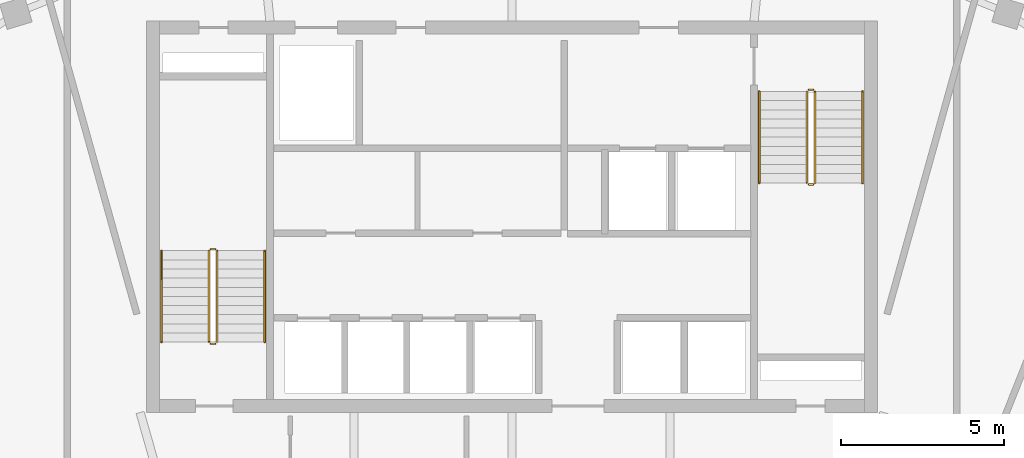
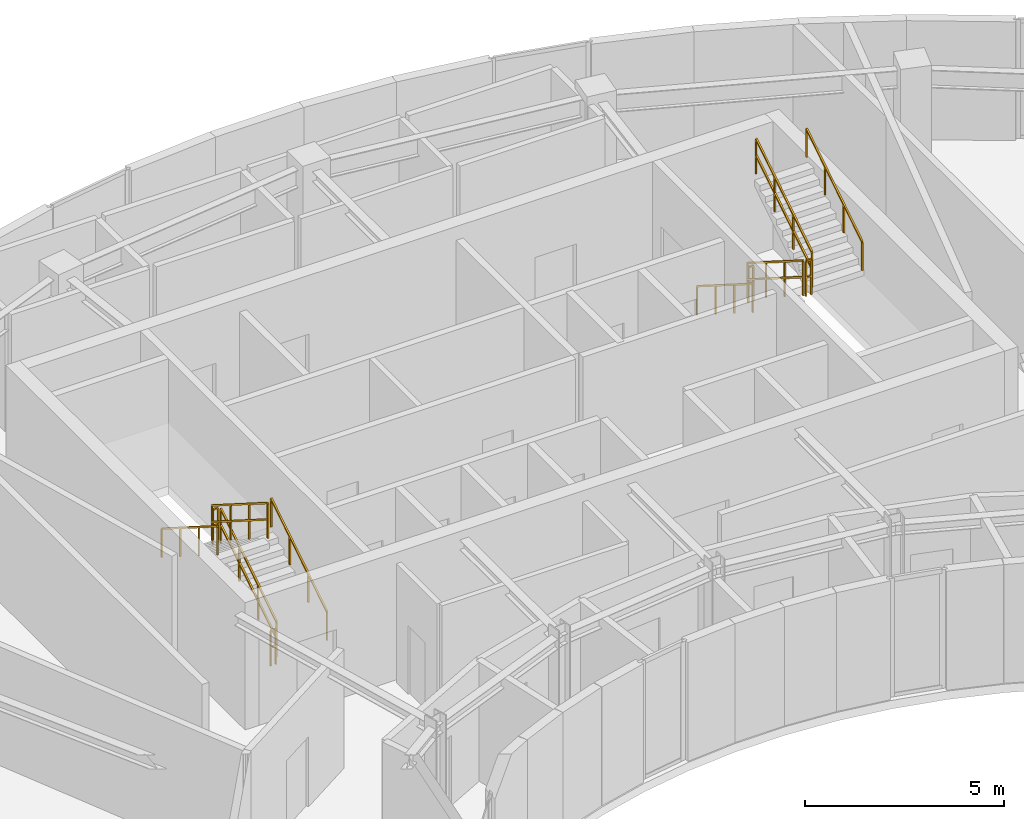
# One storey, part 9 of 9: 12 railings.
"""IFC4 building model written with IfcOpenShell, lengths in metres."""

from ifc_helpers import new_model, si_unit, direction, frame, origin, origin_2d, place, context, subcontext, project, spatial, rectangle, extrude, material, type_object, element, save


model = new_model("IFC4")

# Units and contexts
model_context = context("Model", 3, precision=1e-05, world=origin(), true_north=direction((0.0, 1.0)))
body_context = subcontext(model_context, "Body", "Model", "MODEL_VIEW")
ifc_project = project(units=[si_unit("LENGTHUNIT", "METRE"), si_unit("AREAUNIT", "SQUARE_METRE"), si_unit("VOLUMEUNIT", "CUBIC_METRE"), si_unit("PLANEANGLEUNIT", "RADIAN"), si_unit("MASSUNIT", "GRAM", prefix="KILO")], contexts=[model_context])

# Site, building, storey
site_placement = place(None, origin())
site = spatial("IfcSite", under=ifc_project, at=site_placement, CompositionType="ELEMENT")
building_placement = place(site_placement, origin())
building = spatial("IfcBuilding", under=site, at=building_placement, Name="Breltana Convention Tower", CompositionType="ELEMENT")
storey_placement = place(building_placement, frame((0.0, 0.0, 283.5)))
storey = spatial("IfcBuildingStorey", under=building, at=storey_placement, Name="L69", CompositionType="ELEMENT", Elevation=283.5)

# Railings
ifc_material_1 = material(Name="Steel S275 Painted", Category="steel")
railing_type_1 = type_object("IfcRailingType", Name="RL-STAIR-GUARD-1100", PredefinedType="GUARDRAIL", material=ifc_material_1)
railing_1_placement = place(storey_placement, frame((38.9599609375, 62.360107421875, 0.17724609375)))
element("IfcRailing", 1, at=railing_1_placement, inside=storey, type_object=railing_type_1, Name="L69 ST-1 stair guard 1", PredefinedType="GUARDRAIL", context=body_context, shape_type="SweptSolid", body=[
    extrude(rectangle(XDim=0.048095703125, YDim=0.048095703125, at=origin_2d()), frame((0.0, 0.0, 1.076171875), z_axis=(0.0, 0.844887892834, 0.53494340686), x_axis=(-1.0, 0.0, 0.0)), (0.0, 0.0, 1.0), 3.313720703125),
    extrude(rectangle(XDim=0.048095703125, YDim=0.048095703125, at=origin_2d()), frame((0.0, 0.0, 0.572021484375), z_axis=(0.0, 0.844887892834, 0.53494340686), x_axis=(-1.0, 0.0, 0.0)), (0.0, 0.0, 1.0), 3.313720703125),
    extrude(rectangle(XDim=0.0419921875, YDim=0.0419921875, at=origin_2d()), origin(), (0.0, 0.0, 1.0), 1.052001953125),
    extrude(rectangle(XDim=0.0419921875, YDim=0.0419921875, at=origin_2d()), frame((0.0, 0.933349609375, 0.5908203125)), (0.0, 0.0, 1.0), 1.052001953125),
    extrude(rectangle(XDim=0.0419921875, YDim=0.0419921875, at=origin_2d()), frame((0.0, 1.866455078125, 1.181884765625)), (0.0, 0.0, 1.0), 1.052001953125),
    extrude(rectangle(XDim=0.0419921875, YDim=0.0419921875, at=origin_2d()), frame((0.0, 2.7998046875, 1.772705078125)), (0.0, 0.0, 1.0), 1.052001953125),
])
railing_2_placement = place(storey_placement, frame((38.909912109375, 65.2099609375, 1.949951171875)))
element("IfcRailing", 2, at=railing_2_placement, inside=storey, type_object=railing_type_1, Name="L69 ST-1 stair guard 2", PredefinedType="GUARDRAIL", context=body_context, shape_type="SweptSolid", body=[
    extrude(rectangle(XDim=0.048095703125, YDim=0.048095703125, at=origin_2d()), frame((0.0, 0.0, 1.076171875), z_axis=(-1.0, 0.0, 0.0), x_axis=(0.0, -1.0, 0.0)), (0.0, 0.0, 1.0), 0.14990234375),
    extrude(rectangle(XDim=0.048095703125, YDim=0.048095703125, at=origin_2d()), frame((0.0, 0.0, 0.572021484375), z_axis=(-1.0, 0.0, 0.0), x_axis=(0.0, -1.0, 0.0)), (0.0, 0.0, 1.0), 0.14990234375),
    extrude(rectangle(XDim=0.0419921875, YDim=0.0419921875, at=origin_2d()), origin(), (0.0, 0.0, 1.0), 1.052001953125),
    extrude(rectangle(XDim=0.0419921875, YDim=0.0419921875, at=origin_2d()), frame((-0.14990234375, 0.0, 0.0)), (0.0, 0.0, 1.0), 1.052001953125),
])
railing_3_placement = place(storey_placement, frame((38.7099609375, 65.159912109375, 2.127197265625)))
element("IfcRailing", 3, at=railing_3_placement, inside=storey, type_object=railing_type_1, Name="L69 ST-1 stair guard 3", PredefinedType="GUARDRAIL", context=body_context, shape_type="SweptSolid", body=[
    extrude(rectangle(XDim=0.048095703125, YDim=0.048095703125, at=origin_2d()), frame((0.0, 0.0, 1.076171875), z_axis=(0.0, -0.844887892834, 0.53494340686), x_axis=(1.0, 0.0, 0.0)), (0.0, 0.0, 1.0), 3.313720703125),
    extrude(rectangle(XDim=0.048095703125, YDim=0.048095703125, at=origin_2d()), frame((0.0, 0.0, 0.572021484375), z_axis=(0.0, -0.844887892834, 0.53494340686), x_axis=(1.0, 0.0, 0.0)), (0.0, 0.0, 1.0), 3.313720703125),
    extrude(rectangle(XDim=0.0419921875, YDim=0.0419921875, at=origin_2d()), origin(), (0.0, 0.0, 1.0), 1.052001953125),
    extrude(rectangle(XDim=0.0419921875, YDim=0.0419921875, at=origin_2d()), frame((0.0, -0.933349609375, 0.5908203125)), (0.0, 0.0, 1.0), 1.052001953125),
    extrude(rectangle(XDim=0.0419921875, YDim=0.0419921875, at=origin_2d()), frame((0.0, -1.866455078125, 1.181884765625)), (0.0, 0.0, 1.0), 1.052001953125),
    extrude(rectangle(XDim=0.0419921875, YDim=0.0419921875, at=origin_2d()), frame((0.0, -2.7998046875, 1.772705078125)), (0.0, 0.0, 1.0), 1.052001953125),
])
railing_4_placement = place(storey_placement, frame((38.909912109375, 62.31005859375, 0.0)))
element("IfcRailing", 4, at=railing_4_placement, inside=storey, type_object=railing_type_1, Name="L69 ST-1 stair guard 4", PredefinedType="GUARDRAIL", context=body_context, shape_type="SweptSolid", body=[
    extrude(rectangle(XDim=0.048095703125, YDim=0.048095703125, at=origin_2d()), frame((0.0, 0.0, 1.076171875), z_axis=(-1.0, 0.0, 0.0), x_axis=(0.0, -1.0, 0.0)), (0.0, 0.0, 1.0), 0.14990234375),
    extrude(rectangle(XDim=0.048095703125, YDim=0.048095703125, at=origin_2d()), frame((0.0, 0.0, 0.572021484375), z_axis=(-1.0, 0.0, 0.0), x_axis=(0.0, -1.0, 0.0)), (0.0, 0.0, 1.0), 0.14990234375),
    extrude(rectangle(XDim=0.0419921875, YDim=0.0419921875, at=origin_2d()), origin(), (0.0, 0.0, 1.0), 1.052001953125),
    extrude(rectangle(XDim=0.0419921875, YDim=0.0419921875, at=origin_2d()), frame((-0.14990234375, 0.0, 0.0)), (0.0, 0.0, 1.0), 1.052001953125),
])
railing_5_placement = place(storey_placement, frame((57.0400390625, 70.0400390625, 0.17724609375)))
element("IfcRailing", 5, at=railing_5_placement, inside=storey, type_object=railing_type_1, Name="L69 ST-2 stair guard 1", PredefinedType="GUARDRAIL", context=body_context, shape_type="SweptSolid", body=[
    extrude(rectangle(XDim=0.048095703125, YDim=0.048095703125, at=origin_2d()), frame((0.0, 0.0, 1.076171875), z_axis=(0.0, -0.844908973607, 0.534910110503), x_axis=(1.0, 0.0, 0.0)), (0.0, 0.0, 1.0), 3.31396484375),
    extrude(rectangle(XDim=0.048095703125, YDim=0.048095703125, at=origin_2d()), frame((0.0, 0.0, 0.572021484375), z_axis=(0.0, -0.844908973607, 0.534910110503), x_axis=(1.0, 0.0, 0.0)), (0.0, 0.0, 1.0), 3.31396484375),
    extrude(rectangle(XDim=0.0419921875, YDim=0.0419921875, at=origin_2d()), origin(), (0.0, 0.0, 1.0), 1.052001953125),
    extrude(rectangle(XDim=0.0419921875, YDim=0.0419921875, at=origin_2d()), frame((0.0, -0.933349609375, 0.5908203125)), (0.0, 0.0, 1.0), 1.052001953125),
    extrude(rectangle(XDim=0.0419921875, YDim=0.0419921875, at=origin_2d()), frame((0.0, -1.86669921875, 1.181884765625)), (0.0, 0.0, 1.0), 1.052001953125),
    extrude(rectangle(XDim=0.0419921875, YDim=0.0419921875, at=origin_2d()), frame((0.0, -2.800048828125, 1.772705078125)), (0.0, 0.0, 1.0), 1.052001953125),
])
railing_6_placement = place(storey_placement, frame((57.090087890625, 67.18994140625, 1.949951171875)))
element("IfcRailing", 6, at=railing_6_placement, inside=storey, type_object=railing_type_1, Name="L69 ST-2 stair guard 2", PredefinedType="GUARDRAIL", context=body_context, shape_type="SweptSolid", body=[
    extrude(rectangle(XDim=0.048095703125, YDim=0.048095703125, at=origin_2d()), frame((0.0, 0.0, 1.076171875), z_axis=(1.0, 0.0, 0.0), x_axis=(0.0, 1.0, 0.0)), (0.0, 0.0, 1.0), 0.14990234375),
    extrude(rectangle(XDim=0.048095703125, YDim=0.048095703125, at=origin_2d()), frame((0.0, 0.0, 0.572021484375), z_axis=(1.0, 0.0, 0.0), x_axis=(0.0, 1.0, 0.0)), (0.0, 0.0, 1.0), 0.14990234375),
    extrude(rectangle(XDim=0.0419921875, YDim=0.0419921875, at=origin_2d()), origin(), (0.0, 0.0, 1.0), 1.052001953125),
    extrude(rectangle(XDim=0.0419921875, YDim=0.0419921875, at=origin_2d()), frame((0.14990234375, 0.0, 0.0)), (0.0, 0.0, 1.0), 1.052001953125),
])
railing_7_placement = place(storey_placement, frame((57.2900390625, 67.239990234375, 2.127197265625)))
element("IfcRailing", 7, at=railing_7_placement, inside=storey, type_object=railing_type_1, Name="L69 ST-2 stair guard 3", PredefinedType="GUARDRAIL", context=body_context, shape_type="SweptSolid", body=[
    extrude(rectangle(XDim=0.048095703125, YDim=0.048095703125, at=origin_2d()), frame((0.0, 0.0, 1.076171875), z_axis=(0.0, 0.844908973607, 0.534910110503), x_axis=(-1.0, 0.0, 0.0)), (0.0, 0.0, 1.0), 3.31396484375),
    extrude(rectangle(XDim=0.048095703125, YDim=0.048095703125, at=origin_2d()), frame((0.0, 0.0, 0.572021484375), z_axis=(0.0, 0.844908973607, 0.534910110503), x_axis=(-1.0, 0.0, 0.0)), (0.0, 0.0, 1.0), 3.31396484375),
    extrude(rectangle(XDim=0.0419921875, YDim=0.0419921875, at=origin_2d()), origin(), (0.0, 0.0, 1.0), 1.052001953125),
    extrude(rectangle(XDim=0.0419921875, YDim=0.0419921875, at=origin_2d()), frame((0.0, 0.933349609375, 0.5908203125)), (0.0, 0.0, 1.0), 1.052001953125),
    extrude(rectangle(XDim=0.0419921875, YDim=0.0419921875, at=origin_2d()), frame((0.0, 1.86669921875, 1.181884765625)), (0.0, 0.0, 1.0), 1.052001953125),
    extrude(rectangle(XDim=0.0419921875, YDim=0.0419921875, at=origin_2d()), frame((0.0, 2.800048828125, 1.772705078125)), (0.0, 0.0, 1.0), 1.052001953125),
])
railing_8_placement = place(storey_placement, frame((57.090087890625, 70.090087890625, 0.0)))
element("IfcRailing", 8, at=railing_8_placement, inside=storey, type_object=railing_type_1, Name="L69 ST-2 stair guard 4", PredefinedType="GUARDRAIL", context=body_context, shape_type="SweptSolid", body=[
    extrude(rectangle(XDim=0.048095703125, YDim=0.048095703125, at=origin_2d()), frame((0.0, 0.0, 1.076171875), z_axis=(1.0, 0.0, 0.0), x_axis=(0.0, 1.0, 0.0)), (0.0, 0.0, 1.0), 0.14990234375),
    extrude(rectangle(XDim=0.048095703125, YDim=0.048095703125, at=origin_2d()), frame((0.0, 0.0, 0.572021484375), z_axis=(1.0, 0.0, 0.0), x_axis=(0.0, 1.0, 0.0)), (0.0, 0.0, 1.0), 0.14990234375),
    extrude(rectangle(XDim=0.0419921875, YDim=0.0419921875, at=origin_2d()), origin(), (0.0, 0.0, 1.0), 1.052001953125),
    extrude(rectangle(XDim=0.0419921875, YDim=0.0419921875, at=origin_2d()), frame((0.14990234375, 0.0, 0.0)), (0.0, 0.0, 1.0), 1.052001953125),
])
ifc_material_2 = material(Name="Stainless Steel 316L", Category="steel")
railing_type_2 = type_object("IfcRailingType", Name="RL-STAIR-HANDRAIL-900", PredefinedType="HANDRAIL", material=ifc_material_2)
railing_9_placement = place(storey_placement, frame((40.419921875, 62.360107421875, 0.17724609375)))
element("IfcRailing", 9, at=railing_9_placement, inside=storey, type_object=railing_type_2, Name="L69 ST-1 stair handrail 1", PredefinedType="HANDRAIL", context=body_context, shape_type="SweptSolid", body=[
    extrude(rectangle(XDim=0.048095703125, YDim=0.048095703125, at=origin_2d()), frame((0.0, 0.0, 0.8759765625), z_axis=(0.0, 0.844887892834, 0.53494340686), x_axis=(-1.0, 0.0, 0.0)), (0.0, 0.0, 1.0), 3.313720703125),
    extrude(rectangle(XDim=0.0419921875, YDim=0.0419921875, at=origin_2d()), origin(), (0.0, 0.0, 1.0), 0.851806640625),
    extrude(rectangle(XDim=0.0419921875, YDim=0.0419921875, at=origin_2d()), frame((0.0, 0.933349609375, 0.5908203125)), (0.0, 0.0, 1.0), 0.851806640625),
    extrude(rectangle(XDim=0.0419921875, YDim=0.0419921875, at=origin_2d()), frame((0.0, 1.866455078125, 1.181884765625)), (0.0, 0.0, 1.0), 0.851806640625),
    extrude(rectangle(XDim=0.0419921875, YDim=0.0419921875, at=origin_2d()), frame((0.0, 2.7998046875, 1.772705078125)), (0.0, 0.0, 1.0), 0.851806640625),
])
railing_10_placement = place(storey_placement, frame((37.25, 65.159912109375, 2.127197265625)))
element("IfcRailing", 10, at=railing_10_placement, inside=storey, type_object=railing_type_2, Name="L69 ST-1 stair handrail 2", PredefinedType="HANDRAIL", context=body_context, shape_type="SweptSolid", body=[
    extrude(rectangle(XDim=0.048095703125, YDim=0.048095703125, at=origin_2d()), frame((0.0, 0.0, 0.8759765625), z_axis=(0.0, -0.844887892834, 0.53494340686), x_axis=(1.0, 0.0, 0.0)), (0.0, 0.0, 1.0), 3.313720703125),
    extrude(rectangle(XDim=0.0419921875, YDim=0.0419921875, at=origin_2d()), origin(), (0.0, 0.0, 1.0), 0.851806640625),
    extrude(rectangle(XDim=0.0419921875, YDim=0.0419921875, at=origin_2d()), frame((0.0, -0.933349609375, 0.5908203125)), (0.0, 0.0, 1.0), 0.851806640625),
    extrude(rectangle(XDim=0.0419921875, YDim=0.0419921875, at=origin_2d()), frame((0.0, -1.866455078125, 1.181884765625)), (0.0, 0.0, 1.0), 0.851806640625),
    extrude(rectangle(XDim=0.0419921875, YDim=0.0419921875, at=origin_2d()), frame((0.0, -2.7998046875, 1.772705078125)), (0.0, 0.0, 1.0), 0.851806640625),
])
railing_11_placement = place(storey_placement, frame((55.580078125, 70.0400390625, 0.17724609375)))
element("IfcRailing", 11, at=railing_11_placement, inside=storey, type_object=railing_type_2, Name="L69 ST-2 stair handrail 1", PredefinedType="HANDRAIL", context=body_context, shape_type="SweptSolid", body=[
    extrude(rectangle(XDim=0.048095703125, YDim=0.048095703125, at=origin_2d()), frame((0.0, 0.0, 0.8759765625), z_axis=(0.0, -0.844908973607, 0.534910110503), x_axis=(1.0, 0.0, 0.0)), (0.0, 0.0, 1.0), 3.31396484375),
    extrude(rectangle(XDim=0.0419921875, YDim=0.0419921875, at=origin_2d()), origin(), (0.0, 0.0, 1.0), 0.851806640625),
    extrude(rectangle(XDim=0.0419921875, YDim=0.0419921875, at=origin_2d()), frame((0.0, -0.933349609375, 0.5908203125)), (0.0, 0.0, 1.0), 0.851806640625),
    extrude(rectangle(XDim=0.0419921875, YDim=0.0419921875, at=origin_2d()), frame((0.0, -1.86669921875, 1.181884765625)), (0.0, 0.0, 1.0), 0.851806640625),
    extrude(rectangle(XDim=0.0419921875, YDim=0.0419921875, at=origin_2d()), frame((0.0, -2.800048828125, 1.772705078125)), (0.0, 0.0, 1.0), 0.851806640625),
])
railing_12_placement = place(storey_placement, frame((58.75, 67.239990234375, 2.127197265625)))
element("IfcRailing", 12, at=railing_12_placement, inside=storey, type_object=railing_type_2, Name="L69 ST-2 stair handrail 2", PredefinedType="HANDRAIL", context=body_context, shape_type="SweptSolid", body=[
    extrude(rectangle(XDim=0.048095703125, YDim=0.048095703125, at=origin_2d()), frame((0.0, 0.0, 0.8759765625), z_axis=(0.0, 0.844908973607, 0.534910110503), x_axis=(-1.0, 0.0, 0.0)), (0.0, 0.0, 1.0), 3.31396484375),
    extrude(rectangle(XDim=0.0419921875, YDim=0.0419921875, at=origin_2d()), origin(), (0.0, 0.0, 1.0), 0.851806640625),
    extrude(rectangle(XDim=0.0419921875, YDim=0.0419921875, at=origin_2d()), frame((0.0, 0.933349609375, 0.5908203125)), (0.0, 0.0, 1.0), 0.851806640625),
    extrude(rectangle(XDim=0.0419921875, YDim=0.0419921875, at=origin_2d()), frame((0.0, 1.86669921875, 1.181884765625)), (0.0, 0.0, 1.0), 0.851806640625),
    extrude(rectangle(XDim=0.0419921875, YDim=0.0419921875, at=origin_2d()), frame((0.0, 2.800048828125, 1.772705078125)), (0.0, 0.0, 1.0), 0.851806640625),
])

save(model, "model.ifc")
